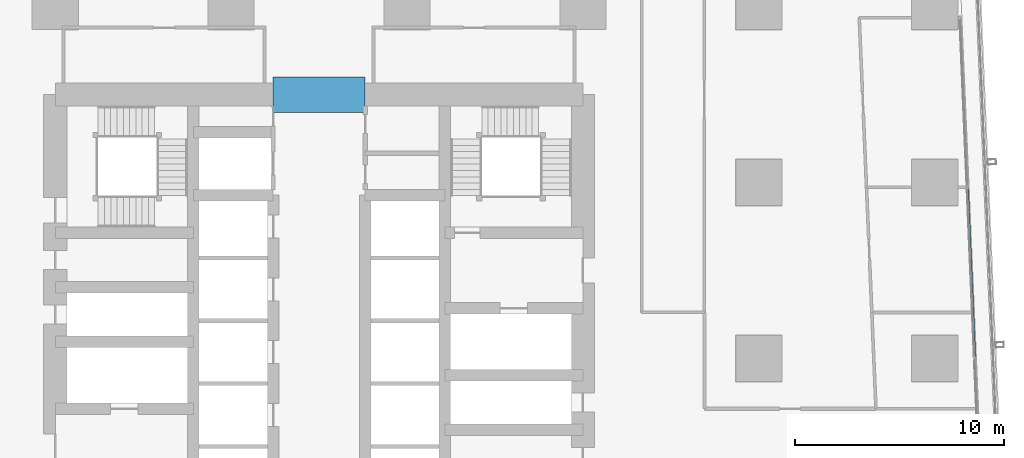
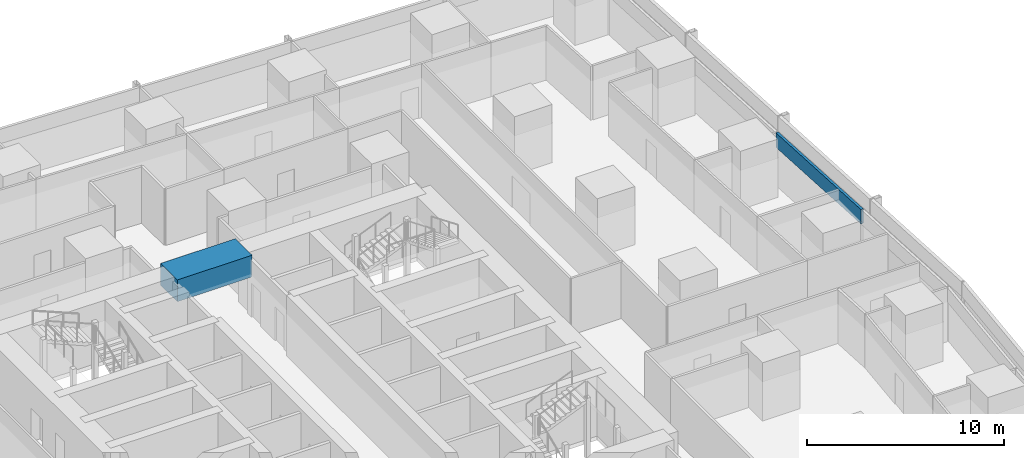
# One storey, part 19 of 44: 1 beam, 1 member, 1 element without a shape of its own.
"""IFC4 building model written with IfcOpenShell, lengths in metres."""

from ifc_helpers import new_model, si_unit, direction, frame, origin, origin_2d, place, context, subcontext, project, spatial, rectangle, hollow_rectangle, extrude, material, material_profile, profile_set, type_object, element, aggregate, save


model = new_model("IFC4")

# Units and contexts
model_context = context("Model", 3, precision=1e-05, world=origin(), true_north=direction((0.0, 1.0)))
body_context = subcontext(model_context, "Body", "Model", "MODEL_VIEW")
ifc_project = project(units=[si_unit("LENGTHUNIT", "METRE"), si_unit("AREAUNIT", "SQUARE_METRE"), si_unit("VOLUMEUNIT", "CUBIC_METRE"), si_unit("PLANEANGLEUNIT", "RADIAN"), si_unit("MASSUNIT", "GRAM", prefix="KILO")], contexts=[model_context])

# Site, building, storey
site_placement = place(None, origin())
site = spatial("IfcSite", under=ifc_project, at=site_placement, CompositionType="ELEMENT")
building_placement = place(site_placement, origin())
building = spatial("IfcBuilding", under=site, at=building_placement, Name="Rekha Terrace Tower", CompositionType="ELEMENT")
storey_placement = place(building_placement, frame((0.0, 0.0, 51.64990234375)))
storey = spatial("IfcBuildingStorey", under=building, at=storey_placement, Name="L12", CompositionType="ELEMENT", Elevation=51.64990234375)

# Curtain wall, member
ifc_material_1 = material(Name="Aluminium framing", Category="aluminium")
curtain_wall_type = type_object("IfcCurtainWallType", Name="CW1 double skin inner glazing", PredefinedType="USERDEFINED", material=ifc_material_1)
curtain_wall_placement = place(storey_placement, origin())
curtain_wall = element("IfcCurtainWall", 1, at=curtain_wall_placement, inside=storey, type_object=curtain_wall_type, Name="CW1 double skin inner glazing", ObjectType="DOUBLE SKIN INNER GLAZING", PredefinedType="USERDEFINED")
ifc_material_2 = material(Name="Insulated aluminium spandrel box", Category="aluminium")
ifc_material_profile_1 = material_profile(ifc_material_2, hollow_rectangle(XDim=0.14990234375, YDim=0.89990234375, WallThickness=0.0029296875, at=origin_2d()), Name="AL SPANDREL BOX 150x900")
ifc_profile_set_1 = profile_set([ifc_material_profile_1], Name="Insulated aluminium spandrel box")
member_type = type_object("IfcMemberType", Name="CW1 spandrel transom 150 x 900", PredefinedType="USERDEFINED", material=ifc_profile_set_1)
member_placement = place(storey_placement, frame((69.08935546875, 33.682861328125, 3.050048828125), z_axis=(-0.042698394831, 0.999088007674, 0.0), x_axis=(-0.999088007674, -0.042698394831, 0.0)))
member = element("IfcMember", 2, at=member_placement, type_object=member_type, Name="CW1 spandrel transom 2", ObjectType="TRANSOM", PredefinedType="USERDEFINED", context=body_context, shape_type="SweptSolid", body=[
    extrude(hollow_rectangle(XDim=0.14990234375, YDim=0.89990234375, WallThickness=0.0029296875, at=origin_2d()), origin(), (0.0, 0.0, 1.0), 8.073486328125),
])
aggregate(curtain_wall, [member])

# Beam
ifc_material_3 = material(Name="Concrete M70", Category="concrete")
ifc_material_profile_2 = material_profile(ifc_material_3, rectangle(XDim=1.699951171875, YDim=1.35009765625, at=origin_2d()), Name="RC 1700x1350")
ifc_profile_set_2 = profile_set([ifc_material_profile_2], Name="Concrete M70")
beam_type = type_object("IfcBeamType", Name="LB1A 1700x1350 diagonally reinforced coupling beam", PredefinedType="LINTEL", material=ifc_profile_set_2)
beam_placement = place(storey_placement, frame((35.60009765625, 46.199951171875, 3.0751953125), z_axis=(1.0, 0.0, 0.0), x_axis=(0.0, 1.0, 0.0)))
element("IfcBeam", 3, at=beam_placement, inside=storey, type_object=beam_type, Name="Coupling beam LB1A N L12", PredefinedType="LINTEL", context=body_context, shape_type="SweptSolid", body=[
    extrude(rectangle(XDim=1.699951171875, YDim=1.35009765625, at=origin_2d()), origin(), (0.0, 0.0, 1.0), 4.39990234375),
])

save(model, "model.ifc")
